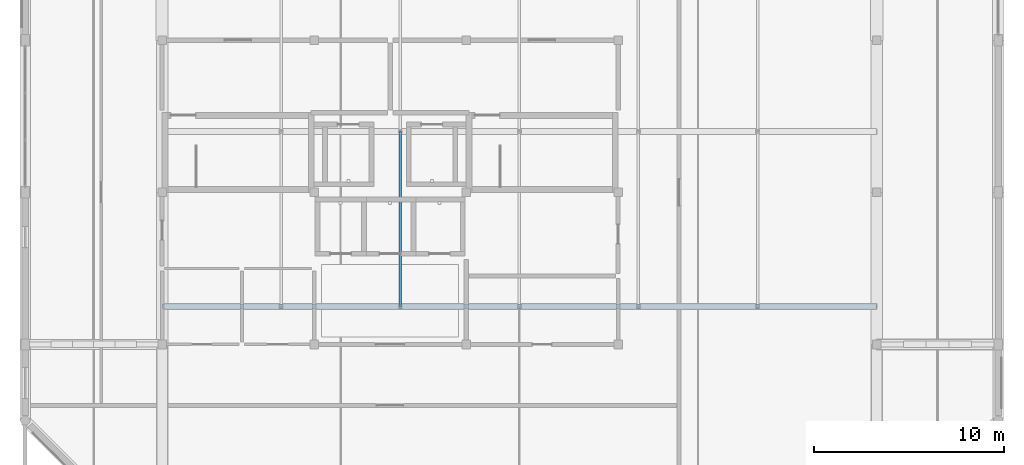
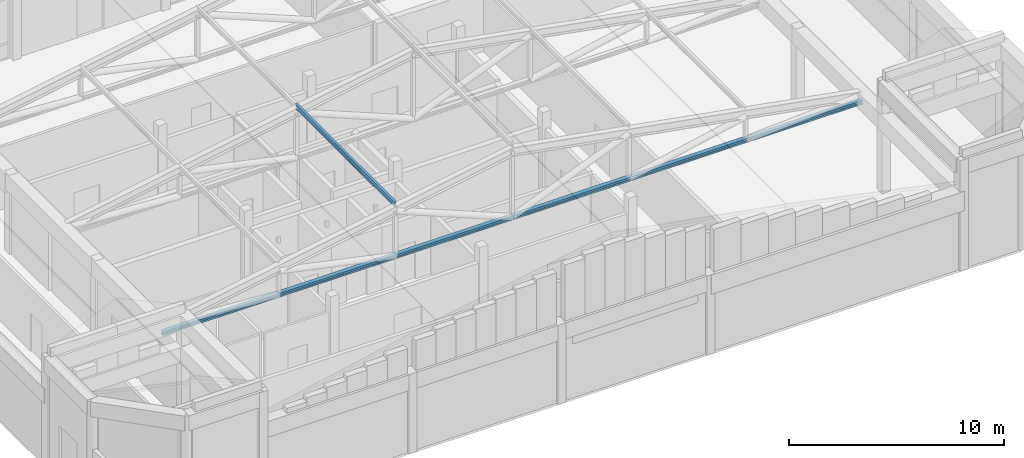
# One storey, part 4 of 24: 2 members.
"""IFC4 building model written with IfcOpenShell, lengths in metres."""

import ifcopenshell
import ifcopenshell.guid

model = None  # the IFC model being written
_history = None  # IfcOwnerHistory: only IFC2X3 demands one
_inside = {}  # id of a spatial element -> (the spatial element, [elements in it])
_under = {}  # id of a project, library or spatial element -> (it, [spatial elements below it])
_declared = {}  # id of a project -> (the project, [libraries it declares])
_typed = {}  # id of a type object -> (the type object, [elements of that type])
_made_of = {}  # id of a material, layer set ... -> (it, [elements and type objects made of it])


def new_model(schema):
    """Start an empty IFC model of exactly this schema.

    Asked for "IFC4X3", IfcOpenShell would pick the latest addendum, in which some entities
    have other attributes; the version numbers below select the first issue.
    IFC2X3 requires an IfcOwnerHistory on every rooted entity: one is made here for all.
    """
    global model, _history
    if schema == "IFC4X3":
        model = ifcopenshell.file(schema_version=(4, 3, 0, 0))
    else:
        model = ifcopenshell.file(schema=schema)
    _inside.clear()
    _under.clear()
    _declared.clear()
    _typed.clear()
    _made_of.clear()
    _history = None
    if model.schema == "IFC2X3":
        org = make("IfcOrganization", Name="unknown")
        user = make(
            "IfcPersonAndOrganization",
            ThePerson=make("IfcPerson", FamilyName="unknown"),
            TheOrganization=org,
        )
        app = make(
            "IfcApplication",
            ApplicationDeveloper=org,
            Version="unknown",
            ApplicationFullName="unknown",
            ApplicationIdentifier="unknown",
        )
        _history = make(
            "IfcOwnerHistory",
            OwningUser=user,
            OwningApplication=app,
            ChangeAction="ADDED",
            CreationDate=0,
        )
    return model


def make(cls, **values):
    """One entity of the class cls with the attributes given. An attribute that is None is left unset."""
    return model.create_entity(
        cls, **{name: value for name, value in values.items() if value is not None}
    )


def rooted(cls, **values):
    """An entity with a GlobalId (a new one), such as an element, a storey or a relation."""
    return make(cls, GlobalId=ifcopenshell.guid.new(), OwnerHistory=_history, **values)


def si_unit(unit_type, name, prefix=None):
    """IfcSIUnit, for example si_unit("LENGTHUNIT", "METRE", prefix="MILLI")."""
    return make("IfcSIUnit", UnitType=unit_type, Prefix=prefix, Name=name)


def assignment(units):
    """IfcUnitAssignment: the units of a project."""
    return None if units is None else make("IfcUnitAssignment", Units=units)


def point(xyz):
    """IfcCartesianPoint."""
    return None if xyz is None else make("IfcCartesianPoint", Coordinates=xyz)


def direction(xyz):
    """IfcDirection."""
    return None if xyz is None else make("IfcDirection", DirectionRatios=xyz)


def frame(location, z_axis=None, x_axis=None):
    """IfcAxis2Placement3D, a coordinate frame: its origin and axes. An axis left out is left unset."""
    return make(
        "IfcAxis2Placement3D",
        Location=point(location),
        Axis=direction(z_axis),
        RefDirection=direction(x_axis),
    )


def frame_2d(location, x_axis=None):
    """IfcAxis2Placement2D, a coordinate frame in the plane: its origin and x axis."""
    return make(
        "IfcAxis2Placement2D", Location=point(location), RefDirection=direction(x_axis)
    )


def origin():
    """The frame at (0, 0, 0) with its axes left unset."""
    return frame((0.0, 0.0, 0.0))


def origin_2d():
    """The frame at (0, 0) in the plane with its x axis left unset."""
    return frame_2d((0.0, 0.0))


def place(relative_to, where):
    """IfcLocalPlacement: puts the frame where relative to a parent placement (None: the world)."""
    return make(
        "IfcLocalPlacement", PlacementRelTo=relative_to, RelativePlacement=where
    )


def context(
    kind, dimensions, precision=None, world=None, true_north=None, identifier=None
):
    """IfcGeometricRepresentationContext, for example the 3D "Model" context."""
    return make(
        "IfcGeometricRepresentationContext",
        ContextIdentifier=identifier,
        ContextType=kind,
        CoordinateSpaceDimension=dimensions,
        Precision=precision,
        WorldCoordinateSystem=world,
        TrueNorth=true_north,
    )


def subcontext(parent, identifier, kind, view, scale=None):
    """IfcGeometricRepresentationSubContext, for example "Body" below "Model"."""
    return make(
        "IfcGeometricRepresentationSubContext",
        ContextIdentifier=identifier,
        ContextType=kind,
        ParentContext=parent,
        TargetScale=scale,
        TargetView=view,
    )


def project(units=None, contexts=None):
    """IfcProject with its units and contexts."""
    return rooted(
        "IfcProject",
        Name="project",
        RepresentationContexts=contexts,
        UnitsInContext=assignment(units),
    )


def spatial(cls, under=None, at=None, **own):
    """A site, building, storey or space (cls), placed at a placement, below another one or the project."""
    s = rooted(cls, ObjectPlacement=at, **own)
    if under is not None:
        _under.setdefault(under.id(), (under, []))[1].append(s)
    return s


def profile(cls, at=None, kind="AREA", **sizes):
    """A parametric profile (cls). Its sizes go by their IFC names, for example OverallWidth=200.0."""
    return make(cls, ProfileType=kind, Position=at, **sizes)


def i_section(**sizes):
    """IfcIShapeProfileDef."""
    return profile("IfcIShapeProfileDef", **sizes)


def extrude(swept, where, along, depth):
    """IfcExtrudedAreaSolid: the profile swept, set in the frame where, extruded along a direction by depth."""
    return make(
        "IfcExtrudedAreaSolid",
        SweptArea=swept,
        Position=where,
        ExtrudedDirection=direction(along),
        Depth=depth,
    )


def shape(context_of_items, identifier, shape_type, items):
    """IfcShapeRepresentation: the items that make up one representation, for example the "Body"."""
    return make(
        "IfcShapeRepresentation",
        ContextOfItems=context_of_items,
        RepresentationIdentifier=identifier,
        RepresentationType=shape_type,
        Items=items,
    )


def material(Name=None, Category=None):
    """IfcMaterial."""
    return make("IfcMaterial", Name=Name, Category=Category)


def material_profile(
    of_material, cross_section, Name=None, Category=None, Priority=None
):
    """IfcMaterialProfile: a cross section and its material."""
    return make(
        "IfcMaterialProfile",
        Name=Name,
        Material=of_material,
        Profile=cross_section,
        Priority=Priority,
        Category=Category,
    )


def profile_set(profiles, Name=None, composite=None):
    """IfcMaterialProfileSet."""
    return make(
        "IfcMaterialProfileSet",
        Name=Name,
        MaterialProfiles=profiles,
        CompositeProfile=composite,
    )


def made_of(thing, what):
    """Note that an element or type object is made of a material, layer set ...; save() writes the relation."""
    if what is not None:
        _made_of.setdefault(what.id(), (what, []))[1].append(thing)
    return thing


def type_object(cls, material=None, **own):
    """A type object (cls), such as IfcWallType, which elements share."""
    return made_of(rooted(cls, **own), material)


def element(
    cls,
    number,
    at=None,
    inside=None,
    cuts=None,
    type_object=None,
    material=None,
    context=None,
    identifier="Body",
    shape_type=None,
    held_by="IfcProductDefinitionShape",
    body=None,
    shapes=None,
    **own,
):
    """One element of the class cls, such as IfcWall. Its Tag is "e" and its number.

    at: its placement. inside: the storey or other place that contains it. cuts: it is an
    opening in that element (IfcRelVoidsElement). A single representation is given by context,
    identifier, shape_type and body (its items); several are given by shapes. held_by: the class
    of the entity that holds the representations. save() writes the other relations.
    """
    e = rooted(cls, Tag="e%d" % number, ObjectPlacement=at, **own)
    if body is not None:
        shapes = [shape(context, identifier, shape_type, body)]
    if shapes is not None:
        e.Representation = make(held_by, Representations=shapes)
    if inside is not None:
        _inside.setdefault(inside.id(), (inside, []))[1].append(e)
    if cuts is not None:
        rooted(
            "IfcRelVoidsElement", RelatingBuildingElement=cuts, RelatedOpeningElement=e
        )
    if type_object is not None:
        _typed.setdefault(type_object.id(), (type_object, []))[1].append(e)
    return made_of(e, material)


def aggregate(whole, parts):
    """IfcRelAggregates: a whole, such as a stair, and the parts it consists of."""
    return rooted("IfcRelAggregates", RelatingObject=whole, RelatedObjects=parts)


def save(model, path):
    """Write the relations noted so far, then the file.

    IfcRelAggregates (storeys below a building ...), IfcRelContainedInSpatialStructure (elements
    in a storey), IfcRelDefinesByType, IfcRelAssociatesMaterial and IfcRelDeclares: one each for
    every whole, place, type object, material and project.
    """
    for whole, parts in _under.values():
        aggregate(whole, parts)
    for where, things in _inside.values():
        rooted(
            "IfcRelContainedInSpatialStructure",
            RelatedElements=things,
            RelatingStructure=where,
        )
    for kind, things in _typed.values():
        rooted("IfcRelDefinesByType", RelatedObjects=things, RelatingType=kind)
    for what, things in _made_of.values():
        rooted("IfcRelAssociatesMaterial", RelatedObjects=things, RelatingMaterial=what)
    for by, libraries in _declared.values():
        rooted("IfcRelDeclares", RelatingContext=by, RelatedDefinitions=libraries)
    model.write(path)


model = new_model("IFC4")

# Units and contexts
model_context = context("Model", 3, precision=1e-05, world=origin(), true_north=direction((0.0, 1.0)))
body_context = subcontext(model_context, "Body", "Model", "MODEL_VIEW")
ifc_project = project(units=[si_unit("LENGTHUNIT", "METRE"), si_unit("AREAUNIT", "SQUARE_METRE"), si_unit("VOLUMEUNIT", "CUBIC_METRE"), si_unit("PLANEANGLEUNIT", "RADIAN"), si_unit("MASSUNIT", "GRAM", prefix="KILO")], contexts=[model_context])

# Site, building, storey
site_placement = place(None, origin())
site = spatial("IfcSite", under=ifc_project, at=site_placement, CompositionType="ELEMENT")
building_placement = place(site_placement, origin())
building = spatial("IfcBuilding", under=site, at=building_placement, Name="Vellmiral Cinema and Media Centre", CompositionType="ELEMENT")
storey_placement = place(building_placement, frame((0.0, 0.0, 66.60009765625)))
storey = spatial("IfcBuildingStorey", under=building, at=storey_placement, Name="L16", CompositionType="ELEMENT", Elevation=66.60009765625)

# Members
ifc_material_1 = material(Name="Steel S355", Category="steel")
ifc_material_profile_1 = material_profile(ifc_material_1, i_section(OverallWidth=0.135009765625, OverallDepth=0.27001953125, WebThickness=0.006591796875, FlangeThickness=0.01025390625, FilletRadius=0.014892578125, at=origin_2d()), Name="IPE 270")
ifc_profile_set_1 = profile_set([ifc_material_profile_1], Name="Steel S355")
member_type_1 = type_object("IfcMemberType", Name="PRL-IPE270", PredefinedType="PURLIN", material=ifc_profile_set_1)
member_1_placement = place(storey_placement, frame((136.533447265625, 81.199951171875, 6.76611328125), z_axis=(0.0, 1.0, 0.0), x_axis=(-1.0, 0.0, 0.0)))
element("IfcMember", 1, at=member_1_placement, inside=storey, type_object=member_type_1, Name="Roof Purlin VR-CROWN.2.1", PredefinedType="PURLIN", context=body_context, shape_type="SweptSolid", body=[
    extrude(i_section(OverallWidth=0.135009765625, OverallDepth=0.27001953125, WebThickness=0.006591796875, FlangeThickness=0.01025390625, FilletRadius=0.014892578125, at=origin_2d()), origin(), (0.0, 0.0, 1.0), 9.199951171875),
])
ifc_material_2 = material(Name="Steel S355", Category="steel")
ifc_material_profile_2 = material_profile(ifc_material_2, i_section(OverallWidth=0.219970703125, OverallDepth=0.219970703125, WebThickness=0.009521484375, FlangeThickness=0.01611328125, FilletRadius=0.01806640625, at=origin_2d()), Name="HEB 220")
ifc_profile_set_2 = profile_set([ifc_material_profile_2], Name="Steel S355")
member_type_2 = type_object("IfcMemberType", Name="TCH-HEB220", PredefinedType="CHORD", material=ifc_profile_set_2)
member_2_placement = place(storey_placement, frame((124.0, 81.199951171875, 3.849853515625), z_axis=(1.0, 0.0, 0.0), x_axis=(0.0, 1.0, 0.0)))
element("IfcMember", 2, at=member_2_placement, inside=storey, type_object=member_type_2, Name="Roof Truss TR-10.1 Bottom Chord", PredefinedType="CHORD", context=body_context, shape_type="SweptSolid", body=[
    extrude(i_section(OverallWidth=0.219970703125, OverallDepth=0.219970703125, WebThickness=0.009521484375, FlangeThickness=0.01611328125, FilletRadius=0.01806640625, at=origin_2d()), origin(), (0.0, 0.0, 1.0), 37.60009765625),
])

save(model, "model.ifc")
